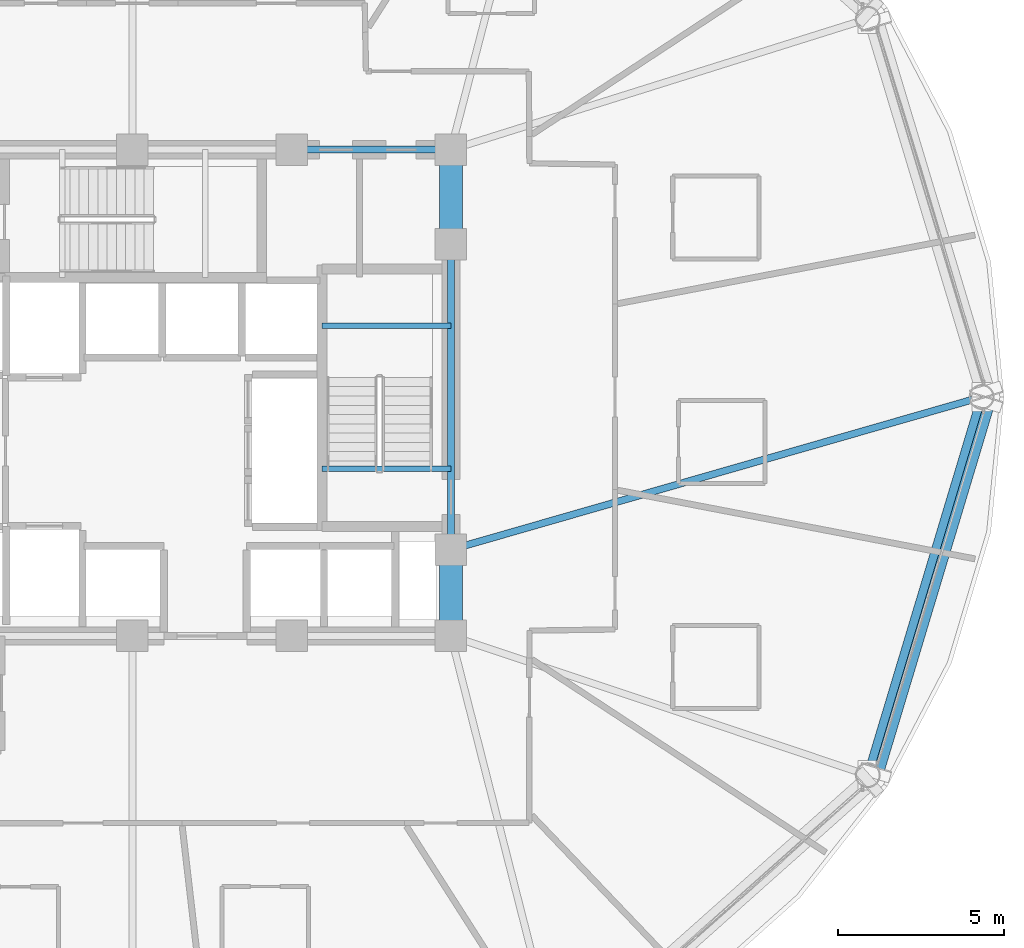
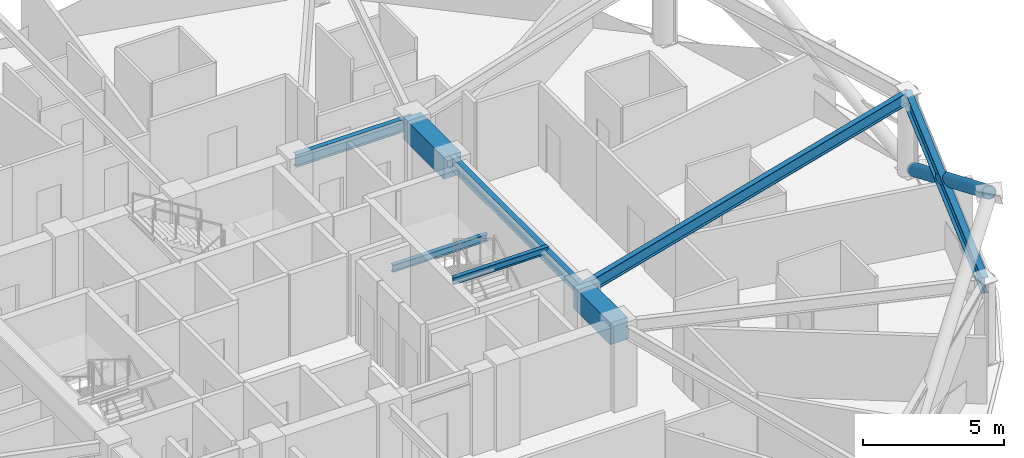
# One storey, part 11 of 32: 8 beams, 1 member.
"""IFC4 building model written with IfcOpenShell, lengths in metres."""

from ifc_helpers import new_model, si_unit, direction, frame, origin, origin_2d, place, context, subcontext, project, spatial, rectangle, hollow_circle, i_section, extrude, material, material_profile, profile_set, type_object, element, save


model = new_model("IFC4")

# Units and contexts
model_context = context("Model", 3, precision=1e-05, world=origin(), true_north=direction((0.0, 1.0)))
body_context = subcontext(model_context, "Body", "Model", "MODEL_VIEW")
ifc_project = project(units=[si_unit("LENGTHUNIT", "METRE"), si_unit("AREAUNIT", "SQUARE_METRE"), si_unit("VOLUMEUNIT", "CUBIC_METRE"), si_unit("PLANEANGLEUNIT", "RADIAN"), si_unit("MASSUNIT", "GRAM", prefix="KILO")], contexts=[model_context])

# Site, building, storey
site_placement = place(None, origin())
site = spatial("IfcSite", under=ifc_project, at=site_placement, CompositionType="ELEMENT")
building_placement = place(site_placement, origin())
building = spatial("IfcBuilding", under=site, at=building_placement, Name="Vantalir Tower", CompositionType="ELEMENT")
storey_placement = place(building_placement, frame((0.0, 0.0, 104.699951171875)))
storey = spatial("IfcBuildingStorey", under=building, at=storey_placement, Name="L25", CompositionType="ELEMENT", Elevation=104.699951171875)

# Beams
ifc_material_1 = material(Name="Concrete C60/75", Category="concrete")
ifc_material_profile_1 = material_profile(ifc_material_1, rectangle(XDim=0.699951171875, YDim=0.949951171875, at=origin_2d()), Name="Concrete C60/75")
ifc_profile_set_1 = profile_set([ifc_material_profile_1], Name="Concrete C60/75")
beam_type_1 = type_object("IfcBeamType", Name="BM-CB-700x950", PredefinedType="USERDEFINED", material=ifc_profile_set_1)
beam_1_placement = place(storey_placement, frame((41.10009765625, 17.800048828125, 3.094970703125), z_axis=(0.0, 1.0, 0.0), x_axis=(-1.0, 0.0, 0.0)))
element("IfcBeam", 1, at=beam_1_placement, inside=storey, type_object=beam_type_1, Name="L25 Core Coupling Girder 05", ObjectType="GIRDER", PredefinedType="USERDEFINED", context=body_context, shape_type="SweptSolid", body=[
    extrude(rectangle(XDim=0.699951171875, YDim=0.949951171875, at=origin_2d()), origin(), (0.0, 0.0, 1.0), 2.599853515625),
])
beam_2_placement = place(storey_placement, frame((41.10009765625, 29.60009765625, 3.094970703125), z_axis=(0.0, 1.0, 0.0), x_axis=(-1.0, 0.0, 0.0)))
element("IfcBeam", 2, at=beam_2_placement, inside=storey, type_object=beam_type_1, Name="L25 Core Coupling Girder 07", ObjectType="GIRDER", PredefinedType="USERDEFINED", context=body_context, shape_type="SweptSolid", body=[
    extrude(rectangle(XDim=0.699951171875, YDim=0.949951171875, at=origin_2d()), origin(), (0.0, 0.0, 1.0), 2.849853515625),
])
ifc_material_2 = material(Name="Steel S355", Category="steel")
ifc_material_profile_2 = material_profile(ifc_material_2, i_section(OverallWidth=0.166015625, OverallDepth=0.306884765625, WebThickness=0.006591796875, FlangeThickness=0.01171875, at=origin_2d()), Name="Steel S355")
ifc_profile_set_2 = profile_set([ifc_material_profile_2], Name="Steel S355")
beam_type_2 = type_object("IfcBeamType", Name="BM-JS-305x165", PredefinedType="JOIST", material=ifc_profile_set_2)
for number, where, z_axis, x_axis, name in (
    (3, (37.2099609375, 22.8349609375, 3.59716796875), (1.0, 0.0, 0.0), (0.0, 1.0, 0.0), "L26 Stair ST2 Well Nosing Trimmer Beam"),
    (4, (37.2099609375, 27.14501953125, 1.52197265625), (1.0, 0.0, 0.0), (0.0, 1.0, 0.0), "L25 Stair ST2 Half-Landing Support Beam"),
):
    element("IfcBeam", number, at=place(storey_placement, frame(where, z_axis=z_axis, x_axis=x_axis)), inside=storey, type_object=beam_type_2, Name=name, PredefinedType="JOIST", context=body_context, shape_type="SweptSolid", body=[
        extrude(i_section(OverallWidth=0.166015625, OverallDepth=0.306884765625, WebThickness=0.006591796875, FlangeThickness=0.01171875, at=origin_2d()), origin(), (0.0, 0.0, 1.0), 3.89013671875),
    ])
ifc_material_profile_3 = material_profile(ifc_material_2, i_section(OverallWidth=0.2109375, OverallDepth=0.5390625, WebThickness=0.01171875, FlangeThickness=0.018798828125, at=origin_2d()), Name="Steel S355")
ifc_profile_set_3 = profile_set([ifc_material_profile_3], Name="Steel S355")
beam_type_3 = type_object("IfcBeamType", Name="BM-RB-533x210", PredefinedType="BEAM", material=ifc_profile_set_3)
beam_3_placement = place(storey_placement, frame((41.10009765625, 20.39990234375, 3.300048828125), z_axis=(0.0, 1.0, 0.0), x_axis=(-1.0, 0.0, 0.0)))
element("IfcBeam", 5, at=beam_3_placement, inside=storey, type_object=beam_type_3, Name="L25 Core Coupling Girder 06", PredefinedType="BEAM", context=body_context, shape_type="SweptSolid", body=[
    extrude(i_section(OverallWidth=0.2109375, OverallDepth=0.5390625, WebThickness=0.01171875, FlangeThickness=0.018798828125, at=origin_2d()), origin(), (0.0, 0.0, 1.0), 9.2001953125),
])
beam_4_placement = place(storey_placement, frame((41.10009765625, 32.449951171875, 3.300048828125), z_axis=(-1.0, 0.0, 0.0), x_axis=(0.0, -1.0, 0.0)))
element("IfcBeam", 6, at=beam_4_placement, inside=storey, type_object=beam_type_3, Name="L25 Core Coupling Girder 08", PredefinedType="BEAM", context=body_context, shape_type="SweptSolid", body=[
    extrude(i_section(OverallWidth=0.2109375, OverallDepth=0.5390625, WebThickness=0.01171875, FlangeThickness=0.018798828125, at=origin_2d()), origin(), (0.0, 0.0, 1.0), 4.800048828125),
])
beam_5_placement = place(storey_placement, frame((57.087890625, 25.0, 3.300048828125), z_axis=(-0.961011705277, -0.276507689442, 0.0), x_axis=(0.276507689442, -0.961011705277, 0.0)))
element("IfcBeam", 7, at=beam_5_placement, inside=storey, type_object=beam_type_3, Name="L25 Radial Floor Beam 01", PredefinedType="BEAM", context=body_context, shape_type="SweptSolid", body=[
    extrude(i_section(OverallWidth=0.2109375, OverallDepth=0.5390625, WebThickness=0.01171875, FlangeThickness=0.018798828125, at=origin_2d()), origin(), (0.0, 0.0, 1.0), 16.636474609375),
])
ifc_material_3 = material(Name="Steel S460", Category="steel")
ifc_material_profile_4 = material_profile(ifc_material_3, i_section(OverallWidth=0.256103515625, OverallDepth=0.693115234375, WebThickness=0.014404296875, FlangeThickness=0.023681640625, at=origin_2d()), Name="Steel S460")
ifc_profile_set_4 = profile_set([ifc_material_profile_4], Name="Steel S460")
beam_type_4 = type_object("IfcBeamType", Name="BM-RG-686x254", PredefinedType="USERDEFINED", material=ifc_profile_set_4)
beam_6_placement = place(storey_placement, frame((53.659912109375, 13.60595703125, 3.22314453125), z_axis=(0.288100770592, 0.95760009711, 0.0), x_axis=(-0.95760009711, 0.288100770592, 0.0)))
element("IfcBeam", 8, at=beam_6_placement, inside=storey, type_object=beam_type_4, Name="L25 Circumferential Ring Girder 12", ObjectType="GIRDER", PredefinedType="USERDEFINED", context=body_context, shape_type="SweptSolid", body=[
    extrude(i_section(OverallWidth=0.256103515625, OverallDepth=0.693115234375, WebThickness=0.014404296875, FlangeThickness=0.023681640625, at=origin_2d()), origin(), (0.0, 0.0, 1.0), 11.8984375),
])

# Member
ifc_material_profile_5 = material_profile(ifc_material_3, hollow_circle(Radius=0.260009765625, WallThickness=0.0380859375, at=origin_2d()), Name="Steel S460")
ifc_profile_set_5 = profile_set([ifc_material_profile_5], Name="Steel S460")
member_type = type_object("IfcMemberType", Name="MEM-DB-520x38", PredefinedType="BRACE", material=ifc_profile_set_5)
member_placement = place(storey_placement, frame((57.22412109375, 24.819091796875, 0.193115234375), z_axis=(-0.247297037267, -0.822344744457, 0.512438578391), x_axis=(0.957635816224, -0.287982019377, 0.0)))
element("IfcMember", 9, at=member_placement, inside=storey, type_object=member_type, Name="L25 Perimeter S460 Diagrid Brace R01R", PredefinedType="BRACE", context=body_context, shape_type="SweptSolid", body=[
    extrude(hollow_circle(Radius=0.260009765625, WallThickness=0.0380859375, at=origin_2d()), origin(), (0.0, 0.0, 1.0), 13.531005859375),
])

save(model, "model.ifc")
